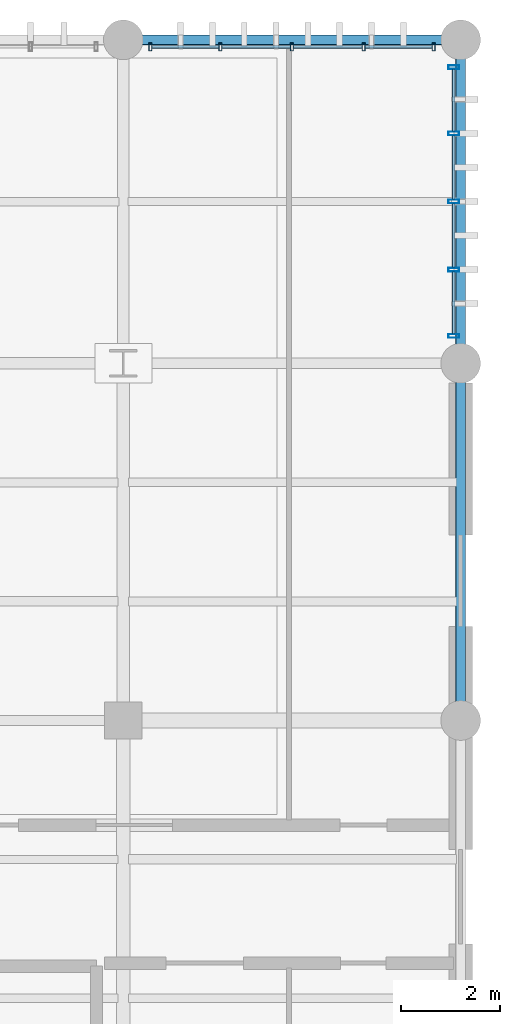
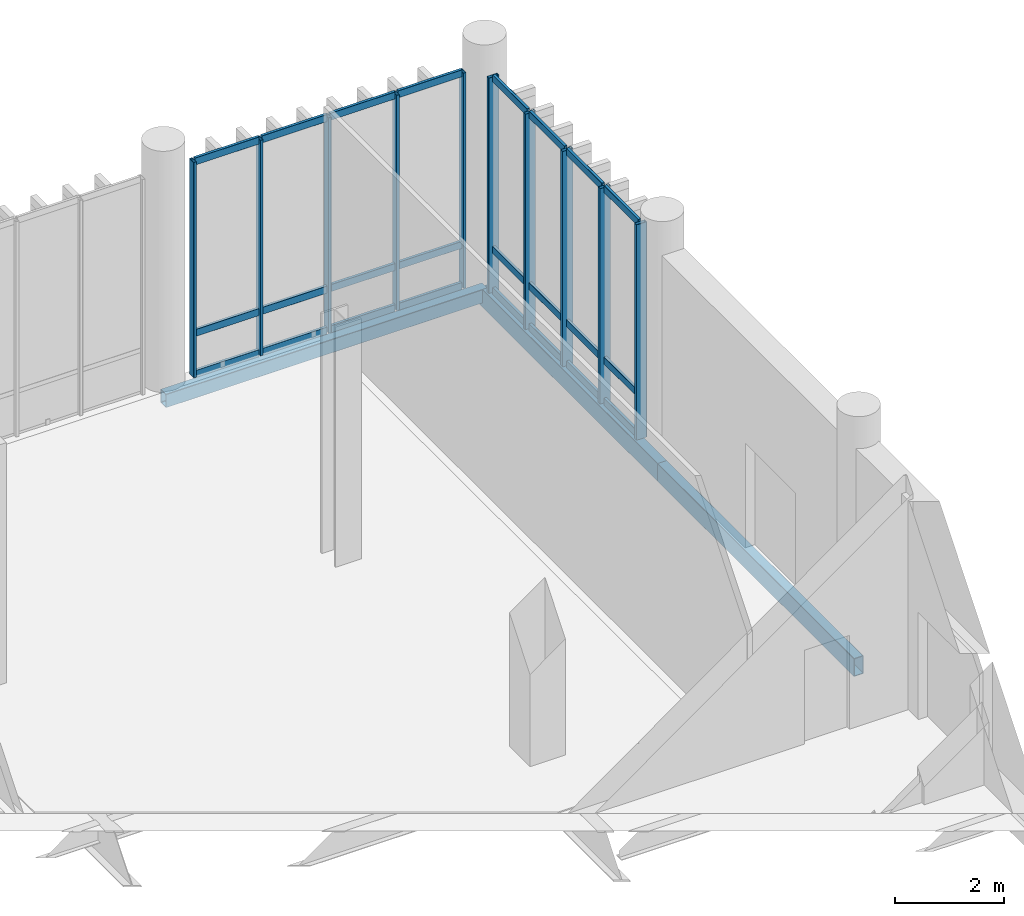
# One storey, part 74 of 112: 34 members, 3 beams, 2 elements without a shape of their own.
"""IFC4 building model written with IfcOpenShell, lengths in metres."""

from ifc_helpers import new_model, si_unit, direction, frame, origin_with_axes, origin_2d_with_axis, place, context, subcontext, project, spatial, hollow_rectangle, extrude, material, material_profile, profile_set, type_object, element, aggregate, save


model = new_model("IFC4")

# Units and contexts
model_context = context("Model", 3, precision=1e-05, world=origin_with_axes(), true_north=direction((0.0, 1.0)))
body_context = subcontext(model_context, "Body", "Model", "MODEL_VIEW")
ifc_project = project(units=[si_unit("LENGTHUNIT", "METRE"), si_unit("AREAUNIT", "SQUARE_METRE"), si_unit("VOLUMEUNIT", "CUBIC_METRE"), si_unit("PLANEANGLEUNIT", "RADIAN"), si_unit("MASSUNIT", "GRAM", prefix="KILO"), si_unit("THERMODYNAMICTEMPERATUREUNIT", "KELVIN")], contexts=[model_context])

# Site, building, storey
site_placement = place(None, origin_with_axes())
site = spatial("IfcSite", under=ifc_project, at=site_placement, CompositionType="ELEMENT")
building_placement = place(site_placement, origin_with_axes())
building = spatial("IfcBuilding", under=site, at=building_placement, Name="Montbau Bow Law Courts", CompositionType="ELEMENT")
storey_placement = place(building_placement, origin_with_axes())
storey = spatial("IfcBuildingStorey", under=building, at=storey_placement, Name="L00", CompositionType="ELEMENT", Elevation=0.0)

# Beams
ifc_material_1 = material(Name="Steel CSA G40.21 Grade 350WT (350 MPa)", Category="steel")
ifc_material_profile_1 = material_profile(ifc_material_1, hollow_rectangle(XDim=0.203, YDim=0.406, WallThickness=0.0127, InnerFilletRadius=0.0254, OuterFilletRadius=0.0127, at=origin_2d_with_axis()), Name="HSS406X203X13", Category="Main", Priority=0)
ifc_profile_set_1 = profile_set([ifc_material_profile_1], Name="Steel CSA G40.21 Grade 350WT (350 MPa)")
beam_type_1 = type_object("IfcBeamType", Name="B-SPN-01", PredefinedType="SPANDREL", material=ifc_profile_set_1)
beam_1_placement = place(None, frame((169.4, 103.2, -0.463), z_axis=(0.0, 1.0, 0.0), x_axis=(-1.0, 0.0, 0.0)))
element("IfcBeam", 1, at=beam_1_placement, inside=storey, type_object=beam_type_1, Name="SPN-L00-S0464:bm2_0467", PredefinedType="SPANDREL", context=body_context, shape_type="SweptSolid", body=[
    extrude(hollow_rectangle(XDim=0.203, YDim=0.406, WallThickness=0.0127, InnerFilletRadius=0.0254, OuterFilletRadius=0.0127, at=origin_2d_with_axis()), origin_with_axes(), (0.0, 0.0, 1.0), 7.2),
])
beam_2_placement = place(None, frame((169.4, 110.4, -0.463), z_axis=(0.0, 1.0, 0.0), x_axis=(-1.0, 0.0, 0.0)))
element("IfcBeam", 2, at=beam_2_placement, inside=storey, type_object=beam_type_1, Name="SPN-L00-S0465:bm2_0468", PredefinedType="SPANDREL", context=body_context, shape_type="SweptSolid", body=[
    extrude(hollow_rectangle(XDim=0.203, YDim=0.406, WallThickness=0.0127, InnerFilletRadius=0.0254, OuterFilletRadius=0.0127, at=origin_2d_with_axis()), origin_with_axes(), (0.0, 0.0, 1.0), 6.52),
])
ifc_material_profile_2 = material_profile(ifc_material_1, hollow_rectangle(XDim=0.203, YDim=0.305, WallThickness=0.0127, InnerFilletRadius=0.0254, OuterFilletRadius=0.0127, at=origin_2d_with_axis()), Name="HSS305X203X13", Category="Main", Priority=0)
ifc_profile_set_2 = profile_set([ifc_material_profile_2], Name="Steel CSA G40.21 Grade 350WT (350 MPa)")
beam_type_2 = type_object("IfcBeamType", Name="B-SPN-02", PredefinedType="SPANDREL", material=ifc_profile_set_2)
beam_3_placement = place(None, frame((162.6, 116.92, -0.412), z_axis=(1.0, 0.0, 0.0), x_axis=(0.0, 1.0, 0.0)))
element("IfcBeam", 3, at=beam_3_placement, inside=storey, type_object=beam_type_2, Name="SPN-L00-S0430:bm2_0433", PredefinedType="SPANDREL", context=body_context, shape_type="SweptSolid", body=[
    extrude(hollow_rectangle(XDim=0.203, YDim=0.305, WallThickness=0.0127, InnerFilletRadius=0.0254, OuterFilletRadius=0.0127, at=origin_2d_with_axis()), origin_with_axes(), (0.0, 0.0, 1.0), 6.8),
])

# Curtain wall, members
ifc_material_2 = material(Name="Thermally Broken Extruded Aluminium AA 6063-T6", Category="aluminium")
curtain_wall_type = type_object("IfcCurtainWallType", Name="CW-SLT-01", PredefinedType="NOTDEFINED", material=ifc_material_2)
curtain_wall_1_placement = place(None, frame((169.26, 110.915, 0.0), z_axis=(0.0, 0.0, 1.0), x_axis=(1.0, 0.0, 0.0)))
curtain_wall_1 = element("IfcCurtainWall", 4, at=curtain_wall_1_placement, inside=storey, type_object=curtain_wall_type, Name="CW-L00-276:cw_0276", PredefinedType="NOTDEFINED")
ifc_material_profile_3 = material_profile(ifc_material_2, hollow_rectangle(XDim=0.075, YDim=0.22, WallThickness=0.005, InnerFilletRadius=0.01, OuterFilletRadius=0.005, at=origin_2d_with_axis()), Name="CWM-220X75", Category="Main", Priority=0)
ifc_profile_set_3 = profile_set([ifc_material_profile_3], Name="Thermally Broken Extruded Aluminium AA 6063-T6")
member_type_1 = type_object("IfcMemberType", Name="M-MUL-01", PredefinedType="MULLION", material=ifc_profile_set_3)
member_1_placement = place(None, frame((169.26, 110.952, 0.0), z_axis=(0.0, 0.0, 1.0), x_axis=(0.0, 1.0, 0.0)))
member_1 = element("IfcMember", 5, at=member_1_placement, type_object=member_type_1, Name="CW-L00-276-M01:cw_0276_M01", PredefinedType="MULLION", context=body_context, shape_type="SweptSolid", body=[
    extrude(hollow_rectangle(XDim=0.075, YDim=0.22, WallThickness=0.005, InnerFilletRadius=0.01, OuterFilletRadius=0.005, at=origin_2d_with_axis()), origin_with_axes(), (0.0, 0.0, 1.0), 4.82),
])
member_2_placement = place(None, frame((169.26, 112.287, 0.0), z_axis=(0.0, 0.0, 1.0), x_axis=(0.0, 1.0, 0.0)))
member_2 = element("IfcMember", 6, at=member_2_placement, type_object=member_type_1, Name="CW-L00-276-M02:cw_0276_M02", PredefinedType="MULLION", context=body_context, shape_type="SweptSolid", body=[
    extrude(hollow_rectangle(XDim=0.075, YDim=0.22, WallThickness=0.005, InnerFilletRadius=0.01, OuterFilletRadius=0.005, at=origin_2d_with_axis()), origin_with_axes(), (0.0, 0.0, 1.0), 4.82),
])
member_3_placement = place(None, frame((169.26, 113.66, 0.0), z_axis=(0.0, 0.0, 1.0), x_axis=(0.0, 1.0, 0.0)))
member_3 = element("IfcMember", 7, at=member_3_placement, type_object=member_type_1, Name="CW-L00-276-M03:cw_0276_M03", PredefinedType="MULLION", context=body_context, shape_type="SweptSolid", body=[
    extrude(hollow_rectangle(XDim=0.075, YDim=0.22, WallThickness=0.005, InnerFilletRadius=0.01, OuterFilletRadius=0.005, at=origin_2d_with_axis()), origin_with_axes(), (0.0, 0.0, 1.0), 4.82),
])
member_4_placement = place(None, frame((169.26, 115.032, 0.0), z_axis=(0.0, 0.0, 1.0), x_axis=(0.0, 1.0, 0.0)))
member_4 = element("IfcMember", 8, at=member_4_placement, type_object=member_type_1, Name="CW-L00-276-M04:cw_0276_M04", PredefinedType="MULLION", context=body_context, shape_type="SweptSolid", body=[
    extrude(hollow_rectangle(XDim=0.075, YDim=0.22, WallThickness=0.005, InnerFilletRadius=0.01, OuterFilletRadius=0.005, at=origin_2d_with_axis()), origin_with_axes(), (0.0, 0.0, 1.0), 4.82),
])
member_5_placement = place(None, frame((169.26, 116.367, 0.0), z_axis=(0.0, 0.0, 1.0), x_axis=(0.0, 1.0, 0.0)))
member_5 = element("IfcMember", 9, at=member_5_placement, type_object=member_type_1, Name="CW-L00-276-M05:cw_0276_M05", PredefinedType="MULLION", context=body_context, shape_type="SweptSolid", body=[
    extrude(hollow_rectangle(XDim=0.075, YDim=0.22, WallThickness=0.005, InnerFilletRadius=0.01, OuterFilletRadius=0.005, at=origin_2d_with_axis()), origin_with_axes(), (0.0, 0.0, 1.0), 4.82),
])

curtain_wall_2_placement = place(None, frame((163.115, 116.78, 0.0), z_axis=(0.0, 0.0, 1.0), x_axis=(1.0, 0.0, 0.0)))
curtain_wall_2 = element("IfcCurtainWall", 10, at=curtain_wall_2_placement, inside=storey, type_object=curtain_wall_type, Name="CW-L00-266:cw_0266", PredefinedType="NOTDEFINED")
ifc_material_profile_4 = material_profile(ifc_material_2, hollow_rectangle(XDim=0.06, YDim=0.16, WallThickness=0.004, InnerFilletRadius=0.008, OuterFilletRadius=0.004, at=origin_2d_with_axis()), Name="CWM-160X60", Category="Main", Priority=0)
ifc_profile_set_4 = profile_set([ifc_material_profile_4], Name="Thermally Broken Extruded Aluminium AA 6063-T6")
member_type_2 = type_object("IfcMemberType", Name="M-MUL-03", PredefinedType="MULLION", material=ifc_profile_set_4)
member_6_placement = place(None, frame((163.145, 116.78, 0.0), z_axis=(0.0, 0.0, 1.0), x_axis=(1.0, 0.0, 0.0)))
member_6 = element("IfcMember", 11, at=member_6_placement, type_object=member_type_2, Name="CW-L00-266-M01:cw_0266_M01", PredefinedType="MULLION", context=body_context, shape_type="SweptSolid", body=[
    extrude(hollow_rectangle(XDim=0.06, YDim=0.16, WallThickness=0.004, InnerFilletRadius=0.008, OuterFilletRadius=0.004, at=origin_2d_with_axis()), origin_with_axes(), (0.0, 0.0, 1.0), 4.82),
])
member_7_placement = place(None, frame((164.557, 116.78, 0.0), z_axis=(0.0, 0.0, 1.0), x_axis=(1.0, 0.0, 0.0)))
member_7 = element("IfcMember", 12, at=member_7_placement, type_object=member_type_2, Name="CW-L00-266-M02:cw_0266_M02", PredefinedType="MULLION", context=body_context, shape_type="SweptSolid", body=[
    extrude(hollow_rectangle(XDim=0.06, YDim=0.16, WallThickness=0.004, InnerFilletRadius=0.008, OuterFilletRadius=0.004, at=origin_2d_with_axis()), origin_with_axes(), (0.0, 0.0, 1.0), 4.82),
])
member_8_placement = place(None, frame((166.0, 116.78, 0.0), z_axis=(0.0, 0.0, 1.0), x_axis=(1.0, 0.0, 0.0)))
member_8 = element("IfcMember", 13, at=member_8_placement, type_object=member_type_2, Name="CW-L00-266-M03:cw_0266_M03", PredefinedType="MULLION", context=body_context, shape_type="SweptSolid", body=[
    extrude(hollow_rectangle(XDim=0.06, YDim=0.16, WallThickness=0.004, InnerFilletRadius=0.008, OuterFilletRadius=0.004, at=origin_2d_with_axis()), origin_with_axes(), (0.0, 0.0, 1.0), 4.82),
])
member_9_placement = place(None, frame((167.442, 116.78, 0.0), z_axis=(0.0, 0.0, 1.0), x_axis=(1.0, 0.0, 0.0)))
member_9 = element("IfcMember", 14, at=member_9_placement, type_object=member_type_2, Name="CW-L00-266-M04:cw_0266_M04", PredefinedType="MULLION", context=body_context, shape_type="SweptSolid", body=[
    extrude(hollow_rectangle(XDim=0.06, YDim=0.16, WallThickness=0.004, InnerFilletRadius=0.008, OuterFilletRadius=0.004, at=origin_2d_with_axis()), origin_with_axes(), (0.0, 0.0, 1.0), 4.82),
])
member_10_placement = place(None, frame((168.855, 116.78, 0.0), z_axis=(0.0, 0.0, 1.0), x_axis=(1.0, 0.0, 0.0)))
member_10 = element("IfcMember", 15, at=member_10_placement, type_object=member_type_2, Name="CW-L00-266-M05:cw_0266_M05", PredefinedType="MULLION", context=body_context, shape_type="SweptSolid", body=[
    extrude(hollow_rectangle(XDim=0.06, YDim=0.16, WallThickness=0.004, InnerFilletRadius=0.008, OuterFilletRadius=0.004, at=origin_2d_with_axis()), origin_with_axes(), (0.0, 0.0, 1.0), 4.82),
])
ifc_material_profile_5 = material_profile(ifc_material_2, hollow_rectangle(XDim=0.06, YDim=0.16, WallThickness=0.004, InnerFilletRadius=0.008, OuterFilletRadius=0.004, at=origin_2d_with_axis()), Name="CWT-160X60", Category="Main", Priority=0)
ifc_profile_set_5 = profile_set([ifc_material_profile_5], Name="Thermally Broken Extruded Aluminium AA 6063-T6")
member_type_3 = type_object("IfcMemberType", Name="M-TRN-01", PredefinedType="USERDEFINED", material=ifc_profile_set_5)
member_11_placement = place(None, frame((163.177, 116.78, 0.03), z_axis=(1.0, 0.0, 0.0), x_axis=(0.0, 1.0, 0.0)))
member_11 = element("IfcMember", 16, at=member_11_placement, type_object=member_type_3, Name="CW-L00-266-T01-1:cw_0266_T01_1", ObjectType="TRANSOM", PredefinedType="USERDEFINED", context=body_context, shape_type="SweptSolid", body=[
    extrude(hollow_rectangle(XDim=0.06, YDim=0.16, WallThickness=0.004, InnerFilletRadius=0.008, OuterFilletRadius=0.004, at=origin_2d_with_axis()), origin_with_axes(), (0.0, 0.0, 1.0), 1.348),
])
member_12_placement = place(None, frame((163.177, 116.78, 0.95), z_axis=(1.0, 0.0, 0.0), x_axis=(0.0, 1.0, 0.0)))
member_12 = element("IfcMember", 17, at=member_12_placement, type_object=member_type_3, Name="CW-L00-266-T01-2:cw_0266_T01_2", ObjectType="TRANSOM", PredefinedType="USERDEFINED", context=body_context, shape_type="SweptSolid", body=[
    extrude(hollow_rectangle(XDim=0.06, YDim=0.16, WallThickness=0.004, InnerFilletRadius=0.008, OuterFilletRadius=0.004, at=origin_2d_with_axis()), origin_with_axes(), (0.0, 0.0, 1.0), 1.348),
])
member_13_placement = place(None, frame((163.177, 116.78, 4.79), z_axis=(1.0, 0.0, 0.0), x_axis=(0.0, 1.0, 0.0)))
member_13 = element("IfcMember", 18, at=member_13_placement, type_object=member_type_3, Name="CW-L00-266-T01-3:cw_0266_T01_3", ObjectType="TRANSOM", PredefinedType="USERDEFINED", context=body_context, shape_type="SweptSolid", body=[
    extrude(hollow_rectangle(XDim=0.06, YDim=0.16, WallThickness=0.004, InnerFilletRadius=0.008, OuterFilletRadius=0.004, at=origin_2d_with_axis()), origin_with_axes(), (0.0, 0.0, 1.0), 1.348),
])
member_14_placement = place(None, frame((164.589, 116.78, 0.03), z_axis=(1.0, 0.0, 0.0), x_axis=(0.0, 1.0, 0.0)))
member_14 = element("IfcMember", 19, at=member_14_placement, type_object=member_type_3, Name="CW-L00-266-T02-1:cw_0266_T02_1", ObjectType="TRANSOM", PredefinedType="USERDEFINED", context=body_context, shape_type="SweptSolid", body=[
    extrude(hollow_rectangle(XDim=0.06, YDim=0.16, WallThickness=0.004, InnerFilletRadius=0.008, OuterFilletRadius=0.004, at=origin_2d_with_axis()), origin_with_axes(), (0.0, 0.0, 1.0), 1.379),
])
member_15_placement = place(None, frame((164.589, 116.78, 0.95), z_axis=(1.0, 0.0, 0.0), x_axis=(0.0, 1.0, 0.0)))
member_15 = element("IfcMember", 20, at=member_15_placement, type_object=member_type_3, Name="CW-L00-266-T02-2:cw_0266_T02_2", ObjectType="TRANSOM", PredefinedType="USERDEFINED", context=body_context, shape_type="SweptSolid", body=[
    extrude(hollow_rectangle(XDim=0.06, YDim=0.16, WallThickness=0.004, InnerFilletRadius=0.008, OuterFilletRadius=0.004, at=origin_2d_with_axis()), origin_with_axes(), (0.0, 0.0, 1.0), 1.379),
])
member_16_placement = place(None, frame((164.589, 116.78, 4.79), z_axis=(1.0, 0.0, 0.0), x_axis=(0.0, 1.0, 0.0)))
member_16 = element("IfcMember", 21, at=member_16_placement, type_object=member_type_3, Name="CW-L00-266-T02-3:cw_0266_T02_3", ObjectType="TRANSOM", PredefinedType="USERDEFINED", context=body_context, shape_type="SweptSolid", body=[
    extrude(hollow_rectangle(XDim=0.06, YDim=0.16, WallThickness=0.004, InnerFilletRadius=0.008, OuterFilletRadius=0.004, at=origin_2d_with_axis()), origin_with_axes(), (0.0, 0.0, 1.0), 1.379),
])
member_17_placement = place(None, frame((166.032, 116.78, 0.03), z_axis=(1.0, 0.0, 0.0), x_axis=(0.0, 1.0, 0.0)))
member_17 = element("IfcMember", 22, at=member_17_placement, type_object=member_type_3, Name="CW-L00-266-T03-1:cw_0266_T03_1", ObjectType="TRANSOM", PredefinedType="USERDEFINED", context=body_context, shape_type="SweptSolid", body=[
    extrude(hollow_rectangle(XDim=0.06, YDim=0.16, WallThickness=0.004, InnerFilletRadius=0.008, OuterFilletRadius=0.004, at=origin_2d_with_axis()), origin_with_axes(), (0.0, 0.0, 1.0), 1.378),
])
member_18_placement = place(None, frame((166.032, 116.78, 0.95), z_axis=(1.0, 0.0, 0.0), x_axis=(0.0, 1.0, 0.0)))
member_18 = element("IfcMember", 23, at=member_18_placement, type_object=member_type_3, Name="CW-L00-266-T03-2:cw_0266_T03_2", ObjectType="TRANSOM", PredefinedType="USERDEFINED", context=body_context, shape_type="SweptSolid", body=[
    extrude(hollow_rectangle(XDim=0.06, YDim=0.16, WallThickness=0.004, InnerFilletRadius=0.008, OuterFilletRadius=0.004, at=origin_2d_with_axis()), origin_with_axes(), (0.0, 0.0, 1.0), 1.378),
])
member_19_placement = place(None, frame((166.032, 116.78, 4.79), z_axis=(1.0, 0.0, 0.0), x_axis=(0.0, 1.0, 0.0)))
member_19 = element("IfcMember", 24, at=member_19_placement, type_object=member_type_3, Name="CW-L00-266-T03-3:cw_0266_T03_3", ObjectType="TRANSOM", PredefinedType="USERDEFINED", context=body_context, shape_type="SweptSolid", body=[
    extrude(hollow_rectangle(XDim=0.06, YDim=0.16, WallThickness=0.004, InnerFilletRadius=0.008, OuterFilletRadius=0.004, at=origin_2d_with_axis()), origin_with_axes(), (0.0, 0.0, 1.0), 1.378),
])
member_20_placement = place(None, frame((167.474, 116.78, 0.03), z_axis=(1.0, 0.0, 0.0), x_axis=(0.0, 1.0, 0.0)))
member_20 = element("IfcMember", 25, at=member_20_placement, type_object=member_type_3, Name="CW-L00-266-T04-1:cw_0266_T04_1", ObjectType="TRANSOM", PredefinedType="USERDEFINED", context=body_context, shape_type="SweptSolid", body=[
    extrude(hollow_rectangle(XDim=0.06, YDim=0.16, WallThickness=0.004, InnerFilletRadius=0.008, OuterFilletRadius=0.004, at=origin_2d_with_axis()), origin_with_axes(), (0.0, 0.0, 1.0), 1.349),
])
member_21_placement = place(None, frame((167.474, 116.78, 0.95), z_axis=(1.0, 0.0, 0.0), x_axis=(0.0, 1.0, 0.0)))
member_21 = element("IfcMember", 26, at=member_21_placement, type_object=member_type_3, Name="CW-L00-266-T04-2:cw_0266_T04_2", ObjectType="TRANSOM", PredefinedType="USERDEFINED", context=body_context, shape_type="SweptSolid", body=[
    extrude(hollow_rectangle(XDim=0.06, YDim=0.16, WallThickness=0.004, InnerFilletRadius=0.008, OuterFilletRadius=0.004, at=origin_2d_with_axis()), origin_with_axes(), (0.0, 0.0, 1.0), 1.349),
])
member_22_placement = place(None, frame((167.474, 116.78, 4.79), z_axis=(1.0, 0.0, 0.0), x_axis=(0.0, 1.0, 0.0)))
member_22 = element("IfcMember", 27, at=member_22_placement, type_object=member_type_3, Name="CW-L00-266-T04-3:cw_0266_T04_3", ObjectType="TRANSOM", PredefinedType="USERDEFINED", context=body_context, shape_type="SweptSolid", body=[
    extrude(hollow_rectangle(XDim=0.06, YDim=0.16, WallThickness=0.004, InnerFilletRadius=0.008, OuterFilletRadius=0.004, at=origin_2d_with_axis()), origin_with_axes(), (0.0, 0.0, 1.0), 1.349),
])
aggregate(curtain_wall_2, [member_6, member_7, member_8, member_9, member_10, member_11, member_12, member_13, member_14, member_15, member_16, member_17, member_18, member_19, member_20, member_21, member_22])

# Member
member_23_placement = place(None, frame((169.26, 110.991, 0.03), z_axis=(0.0, 1.0, 0.0), x_axis=(-1.0, 0.0, 0.0)))
member_23 = element("IfcMember", 28, at=member_23_placement, type_object=member_type_3, Name="CW-L00-276-T01-1:cw_0276_T01_1", ObjectType="TRANSOM", PredefinedType="USERDEFINED", context=body_context, shape_type="SweptSolid", body=[
    extrude(hollow_rectangle(XDim=0.06, YDim=0.16, WallThickness=0.004, InnerFilletRadius=0.008, OuterFilletRadius=0.004, at=origin_2d_with_axis()), origin_with_axes(), (0.0, 0.0, 1.0), 1.257),
])

member_24_placement = place(None, frame((169.26, 110.991, 0.95), z_axis=(0.0, 1.0, 0.0), x_axis=(-1.0, 0.0, 0.0)))
member_24 = element("IfcMember", 29, at=member_24_placement, type_object=member_type_3, Name="CW-L00-276-T01-2:cw_0276_T01_2", ObjectType="TRANSOM", PredefinedType="USERDEFINED", context=body_context, shape_type="SweptSolid", body=[
    extrude(hollow_rectangle(XDim=0.06, YDim=0.16, WallThickness=0.004, InnerFilletRadius=0.008, OuterFilletRadius=0.004, at=origin_2d_with_axis()), origin_with_axes(), (0.0, 0.0, 1.0), 1.257),
])

member_25_placement = place(None, frame((169.26, 110.991, 4.79), z_axis=(0.0, 1.0, 0.0), x_axis=(-1.0, 0.0, 0.0)))
member_25 = element("IfcMember", 30, at=member_25_placement, type_object=member_type_3, Name="CW-L00-276-T01-3:cw_0276_T01_3", ObjectType="TRANSOM", PredefinedType="USERDEFINED", context=body_context, shape_type="SweptSolid", body=[
    extrude(hollow_rectangle(XDim=0.06, YDim=0.16, WallThickness=0.004, InnerFilletRadius=0.008, OuterFilletRadius=0.004, at=origin_2d_with_axis()), origin_with_axes(), (0.0, 0.0, 1.0), 1.257),
])

member_26_placement = place(None, frame((169.26, 112.327, 0.03), z_axis=(0.0, 1.0, 0.0), x_axis=(-1.0, 0.0, 0.0)))
member_26 = element("IfcMember", 31, at=member_26_placement, type_object=member_type_3, Name="CW-L00-276-T02-1:cw_0276_T02_1", ObjectType="TRANSOM", PredefinedType="USERDEFINED", context=body_context, shape_type="SweptSolid", body=[
    extrude(hollow_rectangle(XDim=0.06, YDim=0.16, WallThickness=0.004, InnerFilletRadius=0.008, OuterFilletRadius=0.004, at=origin_2d_with_axis()), origin_with_axes(), (0.0, 0.0, 1.0), 1.294),
])

member_27_placement = place(None, frame((169.26, 112.327, 0.95), z_axis=(0.0, 1.0, 0.0), x_axis=(-1.0, 0.0, 0.0)))
member_27 = element("IfcMember", 32, at=member_27_placement, type_object=member_type_3, Name="CW-L00-276-T02-2:cw_0276_T02_2", ObjectType="TRANSOM", PredefinedType="USERDEFINED", context=body_context, shape_type="SweptSolid", body=[
    extrude(hollow_rectangle(XDim=0.06, YDim=0.16, WallThickness=0.004, InnerFilletRadius=0.008, OuterFilletRadius=0.004, at=origin_2d_with_axis()), origin_with_axes(), (0.0, 0.0, 1.0), 1.294),
])

member_28_placement = place(None, frame((169.26, 112.327, 4.79), z_axis=(0.0, 1.0, 0.0), x_axis=(-1.0, 0.0, 0.0)))
member_28 = element("IfcMember", 33, at=member_28_placement, type_object=member_type_3, Name="CW-L00-276-T02-3:cw_0276_T02_3", ObjectType="TRANSOM", PredefinedType="USERDEFINED", context=body_context, shape_type="SweptSolid", body=[
    extrude(hollow_rectangle(XDim=0.06, YDim=0.16, WallThickness=0.004, InnerFilletRadius=0.008, OuterFilletRadius=0.004, at=origin_2d_with_axis()), origin_with_axes(), (0.0, 0.0, 1.0), 1.294),
])

member_29_placement = place(None, frame((169.26, 113.699, 0.03), z_axis=(0.0, 1.0, 0.0), x_axis=(-1.0, 0.0, 0.0)))
member_29 = element("IfcMember", 34, at=member_29_placement, type_object=member_type_3, Name="CW-L00-276-T03-1:cw_0276_T03_1", ObjectType="TRANSOM", PredefinedType="USERDEFINED", context=body_context, shape_type="SweptSolid", body=[
    extrude(hollow_rectangle(XDim=0.06, YDim=0.16, WallThickness=0.004, InnerFilletRadius=0.008, OuterFilletRadius=0.004, at=origin_2d_with_axis()), origin_with_axes(), (0.0, 0.0, 1.0), 1.294),
])

member_30_placement = place(None, frame((169.26, 113.699, 0.95), z_axis=(0.0, 1.0, 0.0), x_axis=(-1.0, 0.0, 0.0)))
member_30 = element("IfcMember", 35, at=member_30_placement, type_object=member_type_3, Name="CW-L00-276-T03-2:cw_0276_T03_2", ObjectType="TRANSOM", PredefinedType="USERDEFINED", context=body_context, shape_type="SweptSolid", body=[
    extrude(hollow_rectangle(XDim=0.06, YDim=0.16, WallThickness=0.004, InnerFilletRadius=0.008, OuterFilletRadius=0.004, at=origin_2d_with_axis()), origin_with_axes(), (0.0, 0.0, 1.0), 1.294),
])

member_31_placement = place(None, frame((169.26, 113.699, 4.79), z_axis=(0.0, 1.0, 0.0), x_axis=(-1.0, 0.0, 0.0)))
member_31 = element("IfcMember", 36, at=member_31_placement, type_object=member_type_3, Name="CW-L00-276-T03-3:cw_0276_T03_3", ObjectType="TRANSOM", PredefinedType="USERDEFINED", context=body_context, shape_type="SweptSolid", body=[
    extrude(hollow_rectangle(XDim=0.06, YDim=0.16, WallThickness=0.004, InnerFilletRadius=0.008, OuterFilletRadius=0.004, at=origin_2d_with_axis()), origin_with_axes(), (0.0, 0.0, 1.0), 1.294),
])

member_32_placement = place(None, frame((169.26, 115.071, 0.03), z_axis=(0.0, 1.0, 0.0), x_axis=(-1.0, 0.0, 0.0)))
member_32 = element("IfcMember", 37, at=member_32_placement, type_object=member_type_3, Name="CW-L00-276-T04-1:cw_0276_T04_1", ObjectType="TRANSOM", PredefinedType="USERDEFINED", context=body_context, shape_type="SweptSolid", body=[
    extrude(hollow_rectangle(XDim=0.06, YDim=0.16, WallThickness=0.004, InnerFilletRadius=0.008, OuterFilletRadius=0.004, at=origin_2d_with_axis()), origin_with_axes(), (0.0, 0.0, 1.0), 1.257),
])

member_33_placement = place(None, frame((169.26, 115.071, 0.95), z_axis=(0.0, 1.0, 0.0), x_axis=(-1.0, 0.0, 0.0)))
member_33 = element("IfcMember", 38, at=member_33_placement, type_object=member_type_3, Name="CW-L00-276-T04-2:cw_0276_T04_2", ObjectType="TRANSOM", PredefinedType="USERDEFINED", context=body_context, shape_type="SweptSolid", body=[
    extrude(hollow_rectangle(XDim=0.06, YDim=0.16, WallThickness=0.004, InnerFilletRadius=0.008, OuterFilletRadius=0.004, at=origin_2d_with_axis()), origin_with_axes(), (0.0, 0.0, 1.0), 1.257),
])

member_34_placement = place(None, frame((169.26, 115.071, 4.79), z_axis=(0.0, 1.0, 0.0), x_axis=(-1.0, 0.0, 0.0)))
member_34 = element("IfcMember", 39, at=member_34_placement, type_object=member_type_3, Name="CW-L00-276-T04-3:cw_0276_T04_3", ObjectType="TRANSOM", PredefinedType="USERDEFINED", context=body_context, shape_type="SweptSolid", body=[
    extrude(hollow_rectangle(XDim=0.06, YDim=0.16, WallThickness=0.004, InnerFilletRadius=0.008, OuterFilletRadius=0.004, at=origin_2d_with_axis()), origin_with_axes(), (0.0, 0.0, 1.0), 1.257),
])

aggregate(curtain_wall_1, [member_1, member_2, member_3, member_4, member_5, member_23, member_24, member_25, member_26, member_27, member_28, member_29, member_30, member_31, member_32, member_33, member_34])

save(model, "model.ifc")
